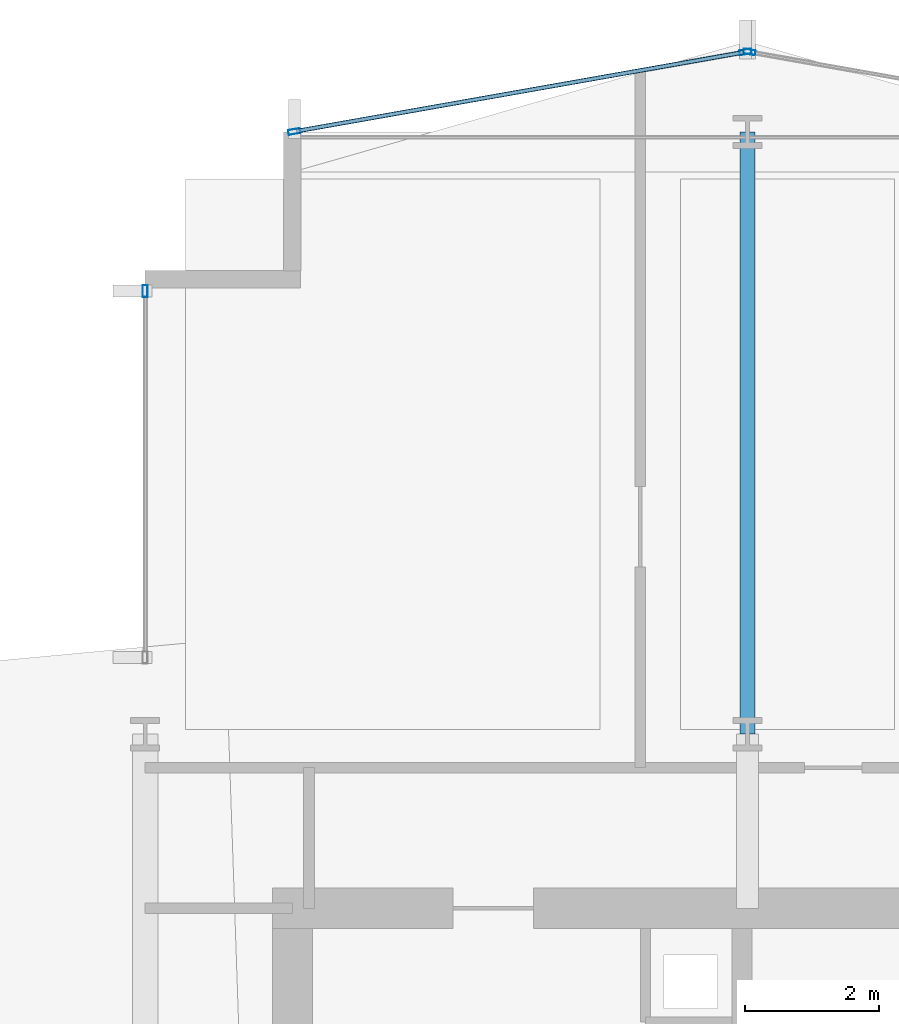
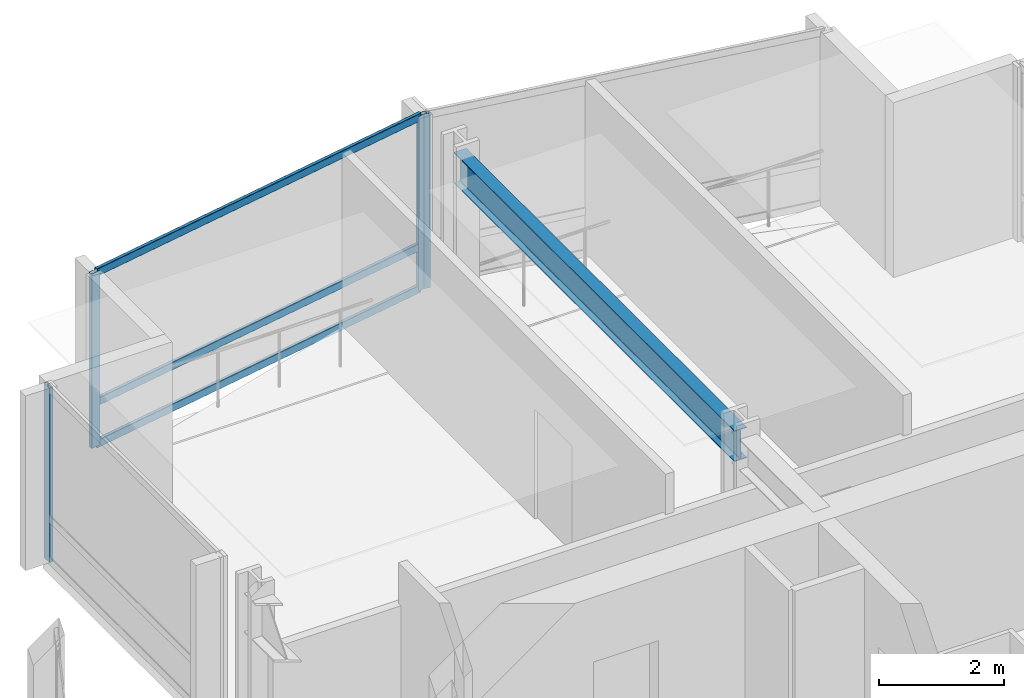
# One storey, part 23 of 34: 7 members, 1 beam, 3 elements without a shape of their own.
"""IFC4 building model written with IfcOpenShell, lengths in metres."""

from ifc_helpers import new_model, si_unit, direction, frame, origin, origin_2d, place, context, subcontext, project, spatial, hollow_rectangle, i_section, extrude, material, layer, layer_set, material_profile, profile_set, type_object, element, aggregate, save


model = new_model("IFC4")

# Units and contexts
model_context = context("Model", 3, precision=1e-05, world=origin(), true_north=direction((0.0, 1.0)))
body_context = subcontext(model_context, "Body", "Model", "MODEL_VIEW")
ifc_project = project(units=[si_unit("LENGTHUNIT", "METRE"), si_unit("AREAUNIT", "SQUARE_METRE"), si_unit("VOLUMEUNIT", "CUBIC_METRE"), si_unit("PLANEANGLEUNIT", "RADIAN"), si_unit("MASSUNIT", "GRAM", prefix="KILO")], contexts=[model_context])

# Site, building, storey
site_placement = place(None, origin())
site = spatial("IfcSite", under=ifc_project, at=site_placement, CompositionType="ELEMENT")
building_placement = place(site_placement, origin())
building = spatial("IfcBuilding", under=site, at=building_placement, Name="Solvaryn Broadcast Tower", CompositionType="ELEMENT")
storey_placement = place(building_placement, frame((0.0, 0.0, 54.5)))
storey = spatial("IfcBuildingStorey", under=building, at=storey_placement, Name="L12", CompositionType="ELEMENT", Elevation=54.5)

# Beam
ifc_material_1 = material(Name="Steel ASTM A992 Grade 50", Category="steel")
ifc_material_profile_1 = material_profile(ifc_material_1, i_section(OverallWidth=0.22802734375, OverallDepth=0.60791015625, WebThickness=0.01123046875, FlangeThickness=0.017333984375, FilletRadius=0.014892578125, at=origin_2d()))
ifc_profile_set_1 = profile_set([ifc_material_profile_1], Name="Steel ASTM A992 Grade 50")
beam_type = type_object("IfcBeamType", Name="BM-B2-W24X76", PredefinedType="BEAM", material=ifc_profile_set_1)
beam_placement = place(storey_placement, frame((18.0, 45.0, 3.115966796875), z_axis=(0.0, 1.0, 0.0), x_axis=(-1.0, 0.0, 0.0)))
element("IfcBeam", 1, at=beam_placement, inside=storey, type_object=beam_type, Name="L12 Primary Beam Y (45-54 @ X=18)", PredefinedType="BEAM", context=body_context, shape_type="SweptSolid", body=[
    extrude(i_section(OverallWidth=0.22802734375, OverallDepth=0.60791015625, WebThickness=0.01123046875, FlangeThickness=0.017333984375, FilletRadius=0.014892578125, at=origin_2d()), origin(), (0.0, 0.0, 1.0), 9.0),
])

# Curtain wall, member
ifc_material_2 = material(Name="Aluminium and Terracotta Unitised Curtain Wall", Category="masonry")
ifc_layer = layer(ifc_material_2, 0.199951171875)
ifc_layer_set = layer_set([ifc_layer], Name="CW-SYS2-LOWMID")
curtain_wall_type = type_object("IfcCurtainWallType", Name="CW-SYS2-LOWMID", PredefinedType="NOTDEFINED", material=ifc_layer_set)
curtain_wall_1_placement = place(storey_placement, origin())
curtain_wall_1 = element("IfcCurtainWall", 2, at=curtain_wall_1_placement, inside=storey, type_object=curtain_wall_type, Name="L12 Curtain Wall W2", PredefinedType="NOTDEFINED")
ifc_material_3 = material(Name="Anodised Aluminium 6063-T6", Category="aluminium")
ifc_material_profile_2 = material_profile(ifc_material_3, hollow_rectangle(XDim=0.074951171875, YDim=0.179931640625, WallThickness=0.00390625, InnerFilletRadius=0.00390625, OuterFilletRadius=0.008056640625, at=origin_2d()))
ifc_profile_set_2 = profile_set([ifc_material_profile_2], Name="Anodised Aluminium 6063-T6")
member_type_1 = type_object("IfcMemberType", Name="CW-MUL-180", PredefinedType="MULLION", material=ifc_profile_set_2)
member_1_placement = place(storey_placement, frame((9.0, 51.6201171875, 0.0), z_axis=(0.0, 0.0, 1.0), x_axis=(-1.0, 0.0, 0.0)))
member_1 = element("IfcMember", 3, at=member_1_placement, type_object=member_type_1, Name="CWS2 mullion 2", PredefinedType="MULLION", context=body_context, shape_type="SweptSolid", body=[
    extrude(hollow_rectangle(XDim=0.074951171875, YDim=0.179931640625, WallThickness=0.00390625, InnerFilletRadius=0.00390625, OuterFilletRadius=0.008056640625, at=origin_2d()), origin(), (0.0, 0.0, 1.0), 3.419921875),
])
aggregate(curtain_wall_1, [member_1])

curtain_wall_2_placement = place(storey_placement, origin())
curtain_wall_2 = element("IfcCurtainWall", 4, at=curtain_wall_2_placement, inside=storey, type_object=curtain_wall_type, Name="L12 Curtain Wall NT1", PredefinedType="NOTDEFINED")
member_2_placement = place(storey_placement, frame((18.029541015625, 55.19482421875, 0.0), z_axis=(0.0, 0.0, 1.0), x_axis=(-0.173785333901, -0.984783558819, 0.0)))
member_2 = element("IfcMember", 5, at=member_2_placement, type_object=member_type_1, Name="CWS2 mullion 2", PredefinedType="MULLION", context=body_context, shape_type="SweptSolid", body=[
    extrude(hollow_rectangle(XDim=0.074951171875, YDim=0.179931640625, WallThickness=0.00390625, InnerFilletRadius=0.00390625, OuterFilletRadius=0.008056640625, at=origin_2d()), origin(), (0.0, 0.0, 1.0), 3.419921875),
])
aggregate(curtain_wall_2, [member_2])

# Curtain wall, members
curtain_wall_3_placement = place(storey_placement, origin())
curtain_wall_3 = element("IfcCurtainWall", 6, at=curtain_wall_3_placement, inside=storey, type_object=curtain_wall_type, Name="L12 Curtain Wall NT2", PredefinedType="NOTDEFINED")
member_3_placement = place(storey_placement, frame((17.970458984375, 55.19482421875, 0.0), z_axis=(0.0, 0.0, 1.0), x_axis=(0.173785333901, -0.984783558819, 0.0)))
member_3 = element("IfcMember", 7, at=member_3_placement, type_object=member_type_1, Name="CWS2 mullion 1", PredefinedType="MULLION", context=body_context, shape_type="SweptSolid", body=[
    extrude(hollow_rectangle(XDim=0.074951171875, YDim=0.179931640625, WallThickness=0.00390625, InnerFilletRadius=0.00390625, OuterFilletRadius=0.008056640625, at=origin_2d()), origin(), (0.0, 0.0, 1.0), 3.419921875),
])
member_4_placement = place(storey_placement, frame((11.2294921875, 54.005126953125, 0.0), z_axis=(0.0, 0.0, 1.0), x_axis=(0.173785333901, -0.984783558819, 0.0)))
member_4 = element("IfcMember", 8, at=member_4_placement, type_object=member_type_1, Name="CWS2 mullion 2", PredefinedType="MULLION", context=body_context, shape_type="SweptSolid", body=[
    extrude(hollow_rectangle(XDim=0.074951171875, YDim=0.179931640625, WallThickness=0.00390625, InnerFilletRadius=0.00390625, OuterFilletRadius=0.008056640625, at=origin_2d()), origin(), (0.0, 0.0, 1.0), 3.419921875),
])
ifc_material_4 = material(Name="Anodised Aluminium 6063-T6", Category="aluminium")
ifc_material_profile_3 = material_profile(ifc_material_4, hollow_rectangle(XDim=0.06494140625, YDim=0.14990234375, WallThickness=0.00390625, InnerFilletRadius=0.00390625, OuterFilletRadius=0.008056640625, at=origin_2d()))
ifc_profile_set_3 = profile_set([ifc_material_profile_3], Name="Anodised Aluminium 6063-T6")
member_type_2 = type_object("IfcMemberType", Name="CW-TRN-150", PredefinedType="USERDEFINED", material=ifc_profile_set_3)
member_5_placement = place(storey_placement, frame((17.94091796875, 55.189453125, 0.030029296875), z_axis=(-0.984788629673, -0.173756596613, 0.0), x_axis=(0.173756596613, -0.984788629673, 0.0)))
member_5 = element("IfcMember", 9, at=member_5_placement, type_object=member_type_2, Name="CWS2 transom 1.1", ObjectType="TRANSOM", PredefinedType="USERDEFINED", context=body_context, shape_type="SweptSolid", body=[
    extrude(hollow_rectangle(XDim=0.06494140625, YDim=0.14990234375, WallThickness=0.00390625, InnerFilletRadius=0.00390625, OuterFilletRadius=0.008056640625, at=origin_2d()), origin(), (0.0, 0.0, 1.0), 6.78515625),
])
member_6_placement = place(storey_placement, frame((17.94091796875, 55.189453125, 0.85009765625), z_axis=(-0.984788629673, -0.173756596613, 0.0), x_axis=(0.173756596613, -0.984788629673, 0.0)))
member_6 = element("IfcMember", 10, at=member_6_placement, type_object=member_type_2, Name="CWS2 transom 1.2", ObjectType="TRANSOM", PredefinedType="USERDEFINED", context=body_context, shape_type="SweptSolid", body=[
    extrude(hollow_rectangle(XDim=0.06494140625, YDim=0.14990234375, WallThickness=0.00390625, InnerFilletRadius=0.00390625, OuterFilletRadius=0.008056640625, at=origin_2d()), origin(), (0.0, 0.0, 1.0), 6.78515625),
])
member_7_placement = place(storey_placement, frame((17.94091796875, 55.189453125, 3.389892578125), z_axis=(-0.984788629673, -0.173756596613, 0.0), x_axis=(0.173756596613, -0.984788629673, 0.0)))
member_7 = element("IfcMember", 11, at=member_7_placement, type_object=member_type_2, Name="CWS2 transom 1.3", ObjectType="TRANSOM", PredefinedType="USERDEFINED", context=body_context, shape_type="SweptSolid", body=[
    extrude(hollow_rectangle(XDim=0.06494140625, YDim=0.14990234375, WallThickness=0.00390625, InnerFilletRadius=0.00390625, OuterFilletRadius=0.008056640625, at=origin_2d()), origin(), (0.0, 0.0, 1.0), 6.78515625),
])
aggregate(curtain_wall_3, [member_3, member_4, member_5, member_6, member_7])

save(model, "model.ifc")
